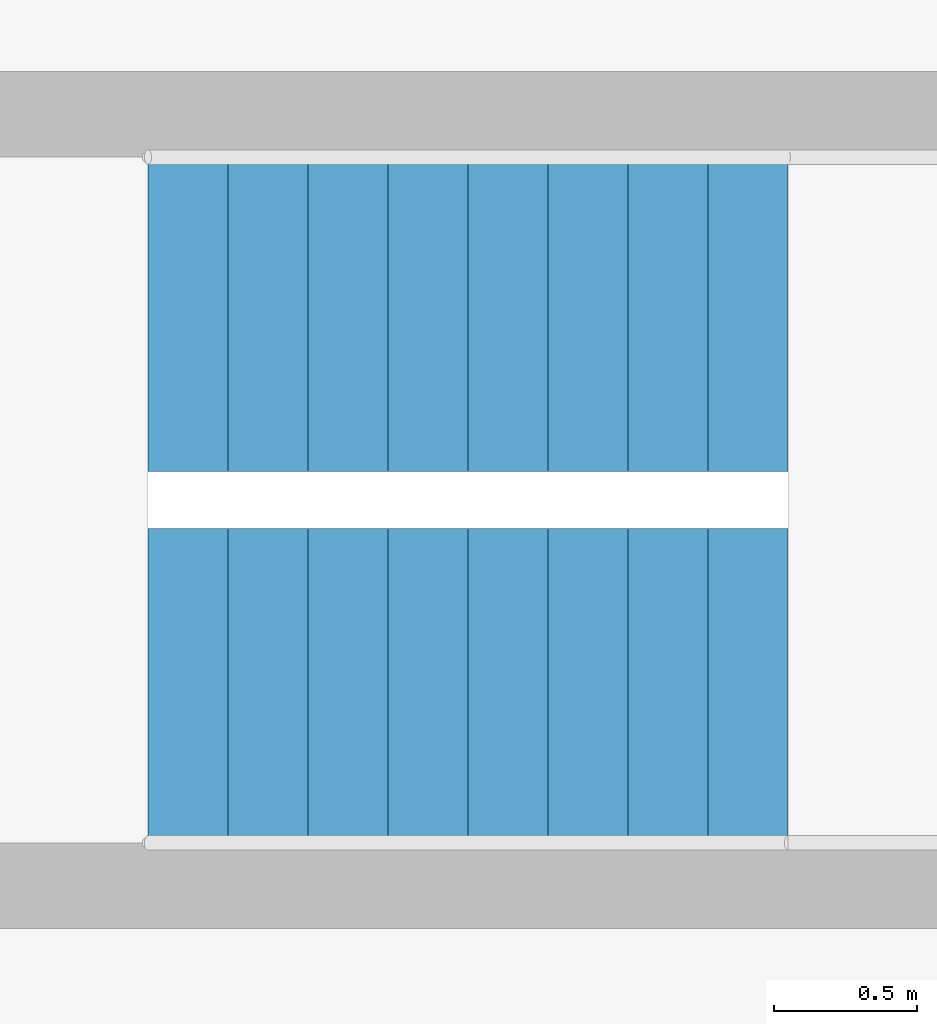
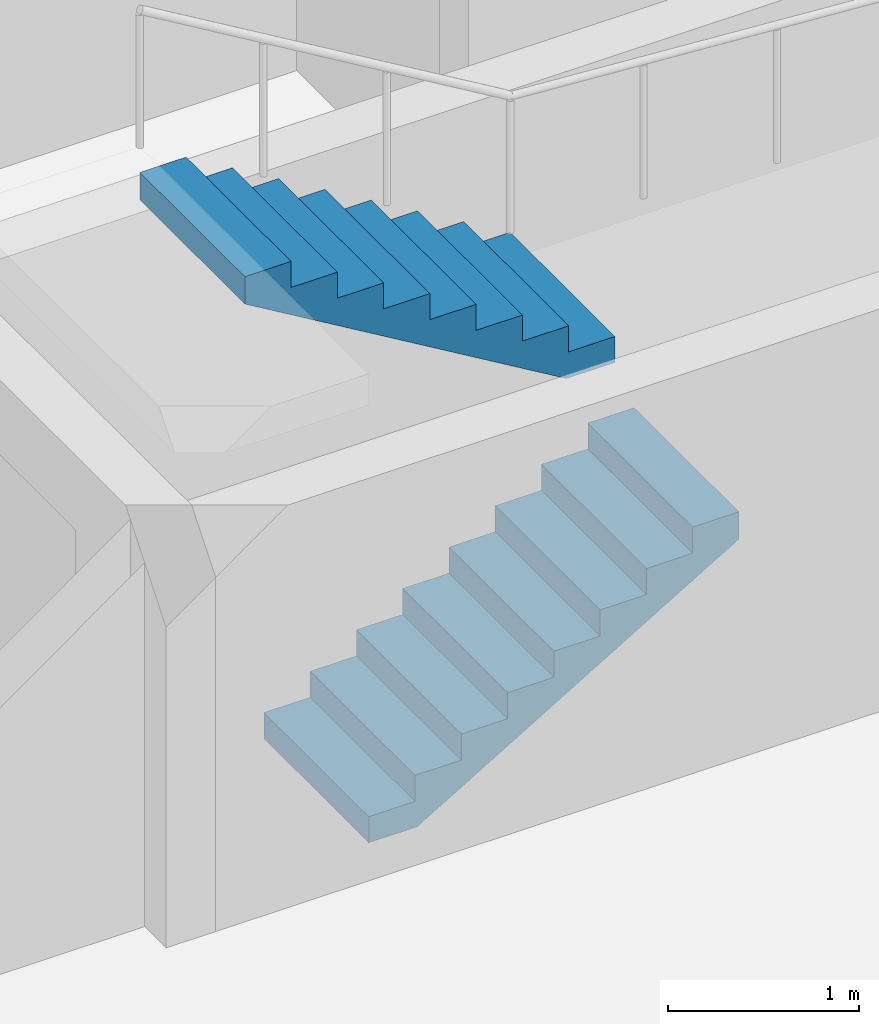
# One storey, part 12 of 14: 2 stair flights, 1 element without a shape of its own.
"""IFC4 building model written with IfcOpenShell, lengths in metres."""

from ifc_helpers import new_model, si_unit, direction, frame, origin, place, context, subcontext, project, spatial, polyline, outline, extrude, material, type_object, element, aggregate, save


model = new_model("IFC4")

# Units and contexts
model_context = context("Model", 3, precision=1e-05, world=origin(), true_north=direction((0.0, 1.0)))
body_context = subcontext(model_context, "Body", "Model", "MODEL_VIEW")
ifc_project = project(units=[si_unit("LENGTHUNIT", "METRE"), si_unit("AREAUNIT", "SQUARE_METRE"), si_unit("VOLUMEUNIT", "CUBIC_METRE"), si_unit("PLANEANGLEUNIT", "RADIAN"), si_unit("MASSUNIT", "GRAM", prefix="KILO")], contexts=[model_context])

# Site, building, storey
site_placement = place(None, origin())
site = spatial("IfcSite", under=ifc_project, at=site_placement, CompositionType="ELEMENT")
building_placement = place(site_placement, origin())
building = spatial("IfcBuilding", under=site, at=building_placement, Name="Fustian Cross Tower", CompositionType="ELEMENT")
storey_placement = place(building_placement, frame((0.0, 0.0, 93.89990234375)))
storey = spatial("IfcBuildingStorey", under=building, at=storey_placement, Name="L29", CompositionType="ELEMENT", Elevation=93.89990234375)

# Stair, stair flights
ifc_material_1 = material(Name="Concrete C50/60", Category="concrete")
stair_type = type_object("IfcStairType", Name="STAIR 1100 HALF TURN", PredefinedType="HALF_TURN_STAIR", material=ifc_material_1)
stair_placement = place(storey_placement, origin())
stair = element("IfcStair", 1, at=stair_placement, inside=storey, type_object=stair_type, Name="Stair ST8", PredefinedType="HALF_TURN_STAIR")
ifc_material_2 = material(Name="Concrete C50/60", Category="concrete")
stair_flight_type = type_object("IfcStairFlightType", Name="STAIR FLIGHT 1100", PredefinedType="STRAIGHT", material=ifc_material_2)
stair_flight_1_placement = place(storey_placement, frame((37.89990234375, -0.64990234375, 0.0), z_axis=(0.0, 0.0, 1.0), x_axis=(1.0, 0.0, 0.0)))
stair_flight_1 = element("IfcStairFlight", 2, at=stair_flight_1_placement, type_object=stair_flight_type, Name="ST8 flight 1", NumberOfRisers=9, NumberOfTreads=8, PredefinedType="STRAIGHT", RiserHeight=0.166666667, TreadLength=0.28, context=body_context, shape_type="SweptSolid", body=[
    extrude(outline(polyline([(0.0, 0.0), (0.0, 0.166748046875), (0.280029296875, 0.166748046875), (0.280029296875, 0.333251953125), (0.56005859375, 0.333251953125), (0.56005859375, 0.5), (0.840087890625, 0.5), (0.840087890625, 0.666748046875), (1.1201171875, 0.666748046875), (1.1201171875, 0.833251953125), (1.39990234375, 0.833251953125), (1.39990234375, 1.0), (1.679931640625, 1.0), (1.679931640625, 1.166748046875), (1.9599609375, 1.166748046875), (1.9599609375, 1.333251953125), (2.239990234375, 1.333251953125), (2.239990234375, 1.5), (2.239990234375, 1.158935546875), (0.29296875, 0.0), (0.0, 0.0)])), frame((0.0, 0.550048828125, 0.0), z_axis=(0.0, -1.0, 0.0), x_axis=(1.0, 0.0, 0.0)), (0.0, 0.0, 1.0), 1.10009765625),
])
stair_flight_2_placement = place(storey_placement, frame((40.139892578125, 0.64990234375, 1.5), z_axis=(0.0, 0.0, 1.0), x_axis=(-1.0, 0.0, 0.0)))
stair_flight_2 = element("IfcStairFlight", 3, at=stair_flight_2_placement, type_object=stair_flight_type, Name="ST8 flight 2", NumberOfRisers=9, NumberOfTreads=8, PredefinedType="STRAIGHT", RiserHeight=0.166666667, TreadLength=0.28, context=body_context, shape_type="SweptSolid", body=[
    extrude(outline(polyline([(0.0, 0.0), (0.0, 0.166748046875), (0.280029296875, 0.166748046875), (0.280029296875, 0.333251953125), (0.56005859375, 0.333251953125), (0.56005859375, 0.5), (0.840087890625, 0.5), (0.840087890625, 0.666748046875), (1.1201171875, 0.666748046875), (1.1201171875, 0.833251953125), (1.39990234375, 0.833251953125), (1.39990234375, 1.0), (1.679931640625, 1.0), (1.679931640625, 1.166748046875), (1.9599609375, 1.166748046875), (1.9599609375, 1.333251953125), (2.239990234375, 1.333251953125), (2.239990234375, 1.5), (2.239990234375, 1.158935546875), (0.29296875, 0.0), (0.0, 0.0)])), frame((0.0, 0.550048828125, 0.0), z_axis=(0.0, -1.0, 0.0), x_axis=(1.0, 0.0, 0.0)), (0.0, 0.0, 1.0), 1.10009765625),
])
aggregate(stair, [stair_flight_1, stair_flight_2])

save(model, "model.ifc")
